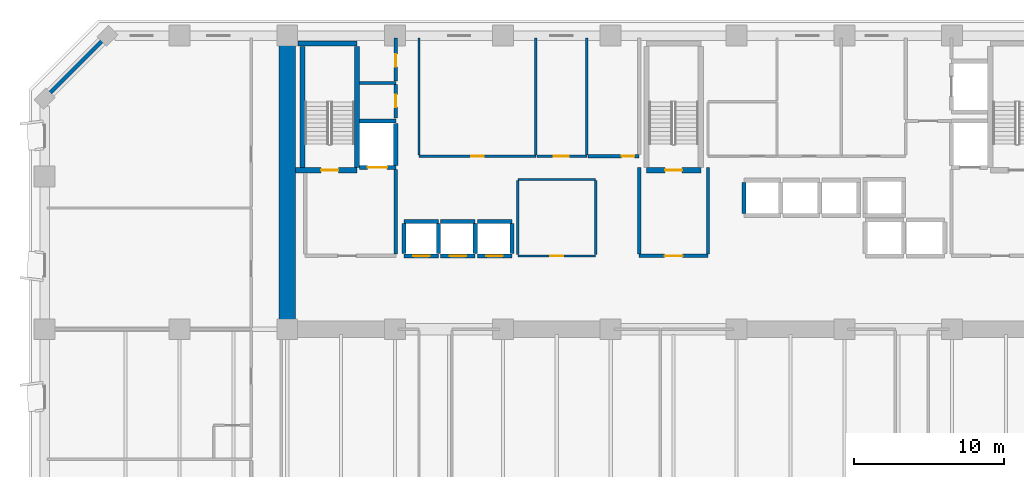
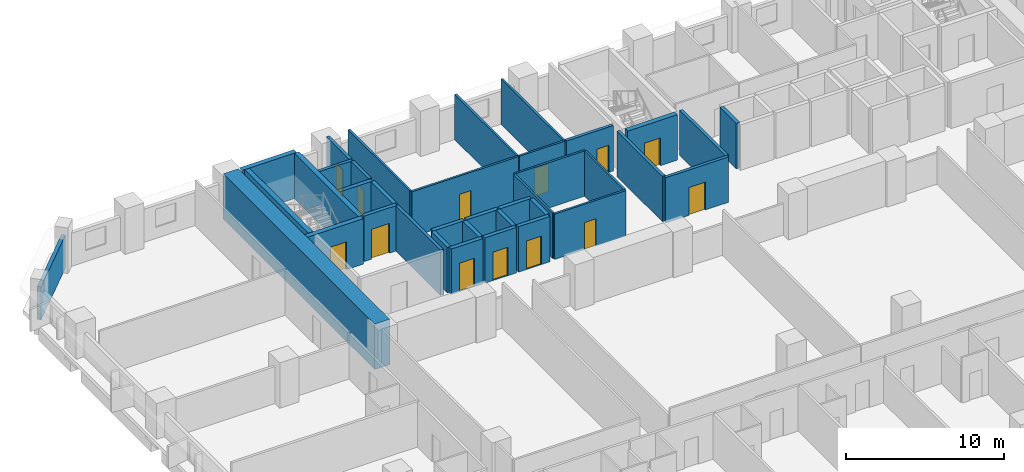
# One storey, part 7 of 15: 38 walls, 13 doors, 13 openings.
"""IFC4 building model written with IfcOpenShell, lengths in metres."""

from ifc_helpers import new_model, si_unit, direction, frame, frame_2d, origin, place, context, subcontext, project, spatial, rectangle, extrude, material, layer, layer_set, type_object, element, fill, save


model = new_model("IFC4")

# Units and contexts
model_context = context("Model", 3, precision=1e-05, world=origin(), true_north=direction((0.0, 1.0)))
body_context = subcontext(model_context, "Body", "Model", "MODEL_VIEW")
ifc_project = project(units=[si_unit("LENGTHUNIT", "METRE"), si_unit("AREAUNIT", "SQUARE_METRE"), si_unit("VOLUMEUNIT", "CUBIC_METRE"), si_unit("PLANEANGLEUNIT", "RADIAN"), si_unit("MASSUNIT", "GRAM", prefix="KILO")], contexts=[model_context])

# Site, building, storey
site_placement = place(None, origin())
site = spatial("IfcSite", under=ifc_project, at=site_placement, CompositionType="ELEMENT")
building_placement = place(site_placement, origin())
building = spatial("IfcBuilding", under=site, at=building_placement, Name="Kaelvorn Grand Hotel", CompositionType="ELEMENT")
storey_placement = place(building_placement, frame((0.0, 0.0, 42.64990234375)))
storey = spatial("IfcBuildingStorey", under=building, at=storey_placement, Name="L08", CompositionType="ELEMENT", Elevation=42.64990234375)

# Walls
ifc_material_1 = material(Name="Concrete C80/95", Category="concrete")
ifc_layer_1 = layer(ifc_material_1, 1.10009765625)
ifc_layer_set_1 = layer_set([ifc_layer_1], Name="Concrete C80/95")
wall_type_1 = type_object("IfcWallType", Name="WL-CORE-1100-C80", PredefinedType="SHEAR", material=ifc_layer_set_1)
wall_1_placement = place(storey_placement, frame((16.199951171875, 29.39990234375, 0.0), z_axis=(0.0, 0.0, 1.0), x_axis=(0.0, 1.0, 0.0)))
element("IfcWall", 1, at=wall_1_placement, inside=storey, type_object=wall_type_1, Name="L08 Rear-Core West Shear Wall", PredefinedType="SHEAR", context=body_context, shape_type="SweptSolid", body=[
    extrude(rectangle(XDim=19.2001953125, YDim=1.10009765625, at=frame_2d((9.60009765625, 0.0))), origin(), (0.0, 0.0, 1.0), 3.510009765625),
])
ifc_material_2 = material(Name="Concrete C40/50", Category="concrete")
ifc_layer_2 = layer(ifc_material_2, 0.260009765625)
ifc_layer_set_2 = layer_set([ifc_layer_2], Name="Concrete C40/50")
wall_type_2 = type_object("IfcWallType", Name="WL-EXT-260-C40", PredefinedType="SOLIDWALL", material=ifc_layer_set_2)
wall_2_placement = place(storey_placement, frame((4.199951171875, 49.0, 0.0), z_axis=(0.0, 0.0, 1.0), x_axis=(-0.707106781187, -0.707106781187, 0.0)))
element("IfcWall", 2, at=wall_2_placement, inside=storey, type_object=wall_type_2, Name="L08 Exterior Architectural Concrete Wall 06", PredefinedType="SOLIDWALL", context=body_context, shape_type="SweptSolid", body=[
    extrude(rectangle(XDim=5.939697265625, YDim=0.260009765625, at=frame_2d((2.9697265625, 0.0))), origin(), (0.0, 0.0, 1.0), 2.56005859375),
])

# Wall, opening, door
ifc_material_3 = material(Name="Acoustic Gypsum & Stud Partition")
ifc_layer_3 = layer(ifc_material_3, 0.14990234375)
ifc_layer_set_3 = layer_set([ifc_layer_3], Name="Acoustic Gypsum & Stud Partition")
wall_type_3 = type_object("IfcWallType", Name="WL-PART-150-EI60", PredefinedType="PARTITIONING", material=ifc_layer_set_3)
wall_3_placement = place(storey_placement, frame((31.60009765625, 34.300048828125, 0.0), z_axis=(0.0, 0.0, 1.0), x_axis=(1.0, 0.0, 0.0)))
wall_3 = element("IfcWall", 3, at=wall_3_placement, inside=storey, type_object=wall_type_3, Name="L08 Core Telecoms & BMS Server Room S Partition", PredefinedType="PARTITIONING", context=body_context, shape_type="SweptSolid", body=[
    extrude(rectangle(XDim=5.199951171875, YDim=0.14990234375, at=frame_2d((2.60009765625, 0.0))), origin(), (0.0, 0.0, 1.0), 3.510009765625),
])
opening_1_placement = place(wall_3_placement, frame((2.175048828125, 0.0, 0.0)))
opening_1 = element("IfcOpeningElement", 4, at=opening_1_placement, cuts=wall_3, Name="Opening DI7", PredefinedType="OPENING", context=body_context, shape_type="SweptSolid", body=[
    extrude(rectangle(XDim=0.85009765625, YDim=2.10009765625, at=frame_2d((0.425048828125, 1.050048828125))), frame((0.0, 0.0849609375, 0.0), z_axis=(0.0, -1.0, 0.0), x_axis=(1.0, 0.0, 0.0)), (0.0, 0.0, 1.0), 0.169921875),
])
ifc_material_4 = material(Name="Powder-Coated Steel Leaf", Category="steel")
door_type_1 = type_object("IfcDoorType", Name="DR-INT-RISER-850x2100", OperationType="NOTDEFINED", PredefinedType="DOOR", material=ifc_material_4)
door_1_placement = place(opening_1_placement, origin())
door_1 = element("IfcDoor", 5, at=door_1_placement, inside=storey, type_object=door_type_1, Name="L08 Core Telecoms & BMS Server Room Door", OperationType="SINGLE_SWING_RIGHT", OverallHeight=2.10009765625, OverallWidth=0.85009765625, PredefinedType="DOOR", context=body_context, shape_type="SweptSolid", body=[
    extrude(rectangle(XDim=0.85009765625, YDim=2.10009765625, at=frame_2d((0.425048828125, 1.050048828125))), frame((0.0, 0.02490234375, 0.0), z_axis=(0.0, -1.0, 0.0), x_axis=(1.0, 0.0, 0.0)), (0.0, 0.0, 1.0), 0.050048828125),
])
fill(opening_1, door_1)

# Walls
wall_4_placement = place(storey_placement, frame((31.60009765625, 39.39990234375, 0.0), z_axis=(0.0, 0.0, 1.0), x_axis=(1.0, 0.0, 0.0)))
element("IfcWall", 6, at=wall_4_placement, inside=storey, type_object=wall_type_3, Name="L08 Core Telecoms & BMS Server Room N Partition", PredefinedType="PARTITIONING", context=body_context, shape_type="SweptSolid", body=[
    extrude(rectangle(XDim=5.199951171875, YDim=0.14990234375, at=frame_2d((2.60009765625, 0.0))), origin(), (0.0, 0.0, 1.0), 3.510009765625),
])
for number, where, z_axis, x_axis, name in (
    (7, (31.60009765625, 34.3798828125, 0.0), (0.0, 0.0, 1.0), (0.0, 1.0, 0.0), "L08 Core Telecoms & BMS Server Room W Partition"),
    (8, (36.800048828125, 34.3798828125, 0.0), (0.0, 0.0, 1.0), (0.0, 1.0, 0.0), "L08 Core Telecoms & BMS Server Room E Partition"),
):
    element("IfcWall", number, at=place(storey_placement, frame(where, z_axis=z_axis, x_axis=x_axis)), inside=storey, type_object=wall_type_3, Name=name, PredefinedType="PARTITIONING", context=body_context, shape_type="SweptSolid", body=[
        extrude(rectangle(XDim=4.940185546875, YDim=0.14990234375, at=frame_2d((2.47021484375, 0.0))), origin(), (0.0, 0.0, 1.0), 3.510009765625),
    ])

# Wall, opening, door
wall_5_placement = place(storey_placement, frame((25.0, 40.949951171875, 0.0), z_axis=(0.0, 0.0, 1.0), x_axis=(1.0, 0.0, 0.0)))
wall_5 = element("IfcWall", 9, at=wall_5_placement, inside=storey, type_object=wall_type_3, Name="L08 Housekeeping & Linen Room S Partition", PredefinedType="PARTITIONING", context=body_context, shape_type="SweptSolid", body=[
    extrude(rectangle(XDim=7.800048828125, YDim=0.14990234375, at=frame_2d((3.89990234375, 0.0))), origin(), (0.0, 0.0, 1.0), 3.510009765625),
])
opening_2_placement = place(wall_5_placement, frame((3.47509765625, 0.0, 0.0)))
opening_2 = element("IfcOpeningElement", 10, at=opening_2_placement, cuts=wall_5, Name="Opening DI7", PredefinedType="OPENING", context=body_context, shape_type="SweptSolid", body=[
    extrude(rectangle(XDim=0.85009765625, YDim=2.10009765625, at=frame_2d((0.425048828125, 1.050048828125))), frame((0.0, 0.0849609375, 0.0), z_axis=(0.0, -1.0, 0.0), x_axis=(1.0, 0.0, 0.0)), (0.0, 0.0, 1.0), 0.169921875),
])
door_2_placement = place(opening_2_placement, origin())
door_2 = element("IfcDoor", 11, at=door_2_placement, inside=storey, type_object=door_type_1, Name="L08 Housekeeping & Linen Room Door", OperationType="SINGLE_SWING_LEFT", OverallHeight=2.10009765625, OverallWidth=0.85009765625, PredefinedType="DOOR", context=body_context, shape_type="SweptSolid", body=[
    extrude(rectangle(XDim=0.85009765625, YDim=2.10009765625, at=frame_2d((0.425048828125, 1.050048828125))), frame((0.0, 0.02490234375, 0.0), z_axis=(0.0, -1.0, 0.0), x_axis=(1.0, 0.0, 0.0)), (0.0, 0.0, 1.0), 0.050048828125),
])
fill(opening_2, door_2)

# Walls
for number, where, z_axis, x_axis, name in (
    (12, (25.0, 41.030029296875, 0.0), (0.0, 0.0, 1.0), (0.0, 1.0, 0.0), "L08 Housekeeping & Linen Room W Partition"),
    (13, (32.800048828125, 41.030029296875, 0.0), (0.0, 0.0, 1.0), (0.0, 1.0, 0.0), "L08 Housekeeping & Linen Room E Partition"),
):
    element("IfcWall", number, at=place(storey_placement, frame(where, z_axis=z_axis, x_axis=x_axis)), inside=storey, type_object=wall_type_3, Name=name, PredefinedType="PARTITIONING", context=body_context, shape_type="SweptSolid", body=[
        extrude(rectangle(XDim=7.820068359375, YDim=0.14990234375, at=frame_2d((3.91015625, 0.0))), origin(), (0.0, 0.0, 1.0), 3.510009765625),
    ])

# Wall, opening, door
wall_6_placement = place(storey_placement, frame((32.8798828125, 40.949951171875, 0.0), z_axis=(0.0, 0.0, 1.0), x_axis=(1.0, 0.0, 0.0)))
wall_6 = element("IfcWall", 14, at=wall_6_placement, inside=storey, type_object=wall_type_3, Name="L08 Floor Butler Tea Point S Partition", PredefinedType="PARTITIONING", context=body_context, shape_type="SweptSolid", body=[
    extrude(rectangle(XDim=3.320068359375, YDim=0.14990234375, at=frame_2d((1.66015625, 0.0))), origin(), (0.0, 0.0, 1.0), 3.510009765625),
])
opening_3_placement = place(wall_6_placement, frame((1.1201171875, 0.0, 0.0)))
opening_3 = element("IfcOpeningElement", 15, at=opening_3_placement, cuts=wall_6, Name="Opening DI3", PredefinedType="OPENING", context=body_context, shape_type="SweptSolid", body=[
    extrude(rectangle(XDim=1.0, YDim=2.14990234375, at=frame_2d((0.5, 1.074951171875))), frame((0.0, 0.0849609375, 0.0), z_axis=(0.0, -1.0, 0.0), x_axis=(1.0, 0.0, 0.0)), (0.0, 0.0, 1.0), 0.169921875),
])
ifc_material_5 = material(Name="Timber Veneer Fire Leaf", Category="wood")
door_type_2 = type_object("IfcDoorType", Name="DR-INT-GUEST-1000x2150", OperationType="NOTDEFINED", PredefinedType="DOOR", material=ifc_material_5)
door_3_placement = place(opening_3_placement, origin())
door_3 = element("IfcDoor", 16, at=door_3_placement, inside=storey, type_object=door_type_2, Name="L08 Floor Butler Tea Point Door", OperationType="SINGLE_SWING_RIGHT", OverallHeight=2.14990234375, OverallWidth=1.0, PredefinedType="DOOR", context=body_context, shape_type="SweptSolid", body=[
    extrude(rectangle(XDim=1.0, YDim=2.14990234375, at=frame_2d((0.5, 1.074951171875))), frame((0.0, 0.02490234375, 0.0), z_axis=(0.0, -1.0, 0.0), x_axis=(1.0, 0.0, 0.0)), (0.0, 0.0, 1.0), 0.050048828125),
])
fill(opening_3, door_3)

# Walls
wall_7_placement = place(storey_placement, frame((36.199951171875, 41.030029296875, 0.0), z_axis=(0.0, 0.0, 1.0), x_axis=(0.0, 1.0, 0.0)))
element("IfcWall", 17, at=wall_7_placement, inside=storey, type_object=wall_type_3, Name="L08 Floor Butler Tea Point E Partition", PredefinedType="PARTITIONING", context=body_context, shape_type="SweptSolid", body=[
    extrude(rectangle(XDim=7.820068359375, YDim=0.14990234375, at=frame_2d((3.91015625, 0.0))), origin(), (0.0, 0.0, 1.0), 3.510009765625),
])
ifc_layer_4 = layer(ifc_material_2, 0.219970703125)
ifc_layer_set_4 = layer_set([ifc_layer_4], Name="Concrete C40/50")
wall_type_4 = type_object("IfcWallType", Name="WL-PART-220-EI120", PredefinedType="PARTITIONING", material=ifc_layer_set_4)
wall_8_placement = place(storey_placement, frame((23.449951171875, 34.4150390625, 0.0), z_axis=(0.0, 0.0, 1.0), x_axis=(0.0, 1.0, 0.0)))
element("IfcWall", 18, at=wall_8_placement, inside=storey, type_object=wall_type_4, Name="L08 Firefighting Lift Lobby 1 E Partition", PredefinedType="PARTITIONING", context=body_context, shape_type="SweptSolid", body=[
    extrude(rectangle(XDim=5.639892578125, YDim=0.219970703125, at=frame_2d((2.81982421875, 0.0))), origin(), (0.0, 0.0, 1.0), 3.510009765625),
])

# Wall, opening, door
wall_9_placement = place(storey_placement, frame((39.699951171875, 34.300048828125, 0.0), z_axis=(0.0, 0.0, 1.0), x_axis=(1.0, 0.0, 0.0)))
wall_9 = element("IfcWall", 19, at=wall_9_placement, inside=storey, type_object=wall_type_4, Name="L08 Central Stair Escape Vestibule S Partition", PredefinedType="PARTITIONING", context=body_context, shape_type="SweptSolid", body=[
    extrude(rectangle(XDim=4.60009765625, YDim=0.219970703125, at=frame_2d((2.300048828125, 0.0))), origin(), (0.0, 0.0, 1.0), 3.510009765625),
])
opening_4_placement = place(wall_9_placement, frame((1.699951171875, 0.0, 0.0)))
opening_4 = element("IfcOpeningElement", 20, at=opening_4_placement, cuts=wall_9, Name="Opening DI2", PredefinedType="OPENING", context=body_context, shape_type="SweptSolid", body=[
    extrude(rectangle(XDim=1.199951171875, YDim=2.14990234375, at=frame_2d((0.60009765625, 1.074951171875))), frame((0.0, 0.1201171875, 0.0), z_axis=(0.0, -1.0, 0.0), x_axis=(1.0, 0.0, 0.0)), (0.0, 0.0, 1.0), 0.239990234375),
])
door_type_3 = type_object("IfcDoorType", Name="DR-INT-FFLOB-1200x2150", OperationType="NOTDEFINED", PredefinedType="DOOR", material=ifc_material_5)
door_4_placement = place(opening_4_placement, origin())
door_4 = element("IfcDoor", 21, at=door_4_placement, inside=storey, type_object=door_type_3, Name="L08 Central Stair Escape Vestibule Door", OperationType="SINGLE_SWING_RIGHT", OverallHeight=2.14990234375, OverallWidth=1.199951171875, PredefinedType="DOOR", context=body_context, shape_type="SweptSolid", body=[
    extrude(rectangle(XDim=1.199951171875, YDim=2.14990234375, at=frame_2d((0.60009765625, 1.074951171875))), frame((0.0, 0.02490234375, 0.0), z_axis=(0.0, -1.0, 0.0), x_axis=(1.0, 0.0, 0.0)), (0.0, 0.0, 1.0), 0.050048828125),
])
fill(opening_4, door_4)

# Walls
for number, where, z_axis, x_axis, name in (
    (22, (39.699951171875, 34.4150390625, 0.0), (0.0, 0.0, 1.0), (0.0, 1.0, 0.0), "L08 Central Stair Escape Vestibule W Partition"),
    (23, (44.300048828125, 34.4150390625, 0.0), (0.0, 0.0, 1.0), (0.0, 1.0, 0.0), "L08 Central Stair Escape Vestibule E Partition"),
):
    element("IfcWall", number, at=place(storey_placement, frame(where, z_axis=z_axis, x_axis=x_axis)), inside=storey, type_object=wall_type_4, Name=name, PredefinedType="PARTITIONING", context=body_context, shape_type="SweptSolid", body=[
        extrude(rectangle(XDim=5.784912109375, YDim=0.219970703125, at=frame_2d((2.892578125, 0.0))), origin(), (0.0, 0.0, 1.0), 3.510009765625),
    ])
wall_10_placement = place(storey_placement, frame((21.034912109375, 45.85009765625, 0.0), z_axis=(0.0, 0.0, 1.0), x_axis=(1.0, 0.0, 0.0)))
element("IfcWall", 24, at=wall_10_placement, inside=storey, type_object=wall_type_4, Name="L08 Wet Fire & Plumbing Riser Shaft N Partition", PredefinedType="PARTITIONING", context=body_context, shape_type="SweptSolid", body=[
    extrude(rectangle(XDim=2.4150390625, YDim=0.219970703125, at=frame_2d((1.20751953125, 0.0))), origin(), (0.0, 0.0, 1.0), 3.510009765625),
])

# Wall, opening, door
wall_11_placement = place(storey_placement, frame((23.449951171875, 43.5, 0.0), z_axis=(0.0, 0.0, 1.0), x_axis=(0.0, 1.0, 0.0)))
wall_11 = element("IfcWall", 25, at=wall_11_placement, inside=storey, type_object=wall_type_4, Name="L08 Wet Fire & Plumbing Riser Shaft E Partition", PredefinedType="PARTITIONING", context=body_context, shape_type="SweptSolid", body=[
    extrude(rectangle(XDim=2.235107421875, YDim=0.219970703125, at=frame_2d((1.11767578125, 0.0))), origin(), (0.0, 0.0, 1.0), 3.510009765625),
])
opening_5_placement = place(wall_11_placement, frame((0.72509765625, 0.0, 0.0)))
opening_5 = element("IfcOpeningElement", 26, at=opening_5_placement, cuts=wall_11, Name="Opening DI7", PredefinedType="OPENING", context=body_context, shape_type="SweptSolid", body=[
    extrude(rectangle(XDim=0.85009765625, YDim=2.10009765625, at=frame_2d((0.425048828125, 1.050048828125))), frame((0.0, 0.1201171875, 0.0), z_axis=(0.0, -1.0, 0.0), x_axis=(1.0, 0.0, 0.0)), (0.0, 0.0, 1.0), 0.239990234375),
])
door_5_placement = place(opening_5_placement, origin())
door_5 = element("IfcDoor", 27, at=door_5_placement, inside=storey, type_object=door_type_1, Name="L08 Wet Fire & Plumbing Riser Shaft Door", OperationType="SINGLE_SWING_RIGHT", OverallHeight=2.10009765625, OverallWidth=0.85009765625, PredefinedType="DOOR", context=body_context, shape_type="SweptSolid", body=[
    extrude(rectangle(XDim=0.85009765625, YDim=2.10009765625, at=frame_2d((0.425048828125, 1.050048828125))), frame((0.0, 0.02490234375, 0.0), z_axis=(0.0, -1.0, 0.0), x_axis=(1.0, 0.0, 0.0)), (0.0, 0.0, 1.0), 0.050048828125),
])
fill(opening_5, door_5)

wall_12_placement = place(storey_placement, frame((23.449951171875, 45.965087890625, 0.0), z_axis=(0.0, 0.0, 1.0), x_axis=(0.0, 1.0, 0.0)))
wall_12 = element("IfcWall", 28, at=wall_12_placement, inside=storey, type_object=wall_type_4, Name="L08 HV Electrical & Smoke Riser E Partition", PredefinedType="PARTITIONING", context=body_context, shape_type="SweptSolid", body=[
    extrude(rectangle(XDim=2.885009765625, YDim=0.219970703125, at=frame_2d((1.4423828125, 0.0))), origin(), (0.0, 0.0, 1.0), 3.510009765625),
])
opening_6_placement = place(wall_12_placement, frame((0.9599609375, 0.0, 0.0)))
opening_6 = element("IfcOpeningElement", 29, at=opening_6_placement, cuts=wall_12, Name="Opening DI7", PredefinedType="OPENING", context=body_context, shape_type="SweptSolid", body=[
    extrude(rectangle(XDim=0.85009765625, YDim=2.10009765625, at=frame_2d((0.425048828125, 1.050048828125))), frame((0.0, 0.1201171875, 0.0), z_axis=(0.0, -1.0, 0.0), x_axis=(1.0, 0.0, 0.0)), (0.0, 0.0, 1.0), 0.239990234375),
])
door_6_placement = place(opening_6_placement, origin())
door_6 = element("IfcDoor", 30, at=door_6_placement, inside=storey, type_object=door_type_1, Name="L08 HV Electrical & Smoke Riser Door", OperationType="SINGLE_SWING_LEFT", OverallHeight=2.10009765625, OverallWidth=0.85009765625, PredefinedType="DOOR", context=body_context, shape_type="SweptSolid", body=[
    extrude(rectangle(XDim=0.85009765625, YDim=2.10009765625, at=frame_2d((0.425048828125, 1.050048828125))), frame((0.0, 0.02490234375, 0.0), z_axis=(0.0, -1.0, 0.0), x_axis=(1.0, 0.0, 0.0)), (0.0, 0.0, 1.0), 0.050048828125),
])
fill(opening_6, door_6)

wall_13_placement = place(storey_placement, frame((36.280029296875, 40.949951171875, 0.0), z_axis=(0.0, 0.0, 1.0), x_axis=(1.0, 0.0, 0.0)))
wall_13 = element("IfcWall", 31, at=wall_13_placement, inside=storey, type_object=wall_type_4, Name="L08 LV Electrical & Metering Room S Partition", PredefinedType="PARTITIONING", context=body_context, shape_type="SweptSolid", body=[
    extrude(rectangle(XDim=3.419921875, YDim=0.219970703125, at=frame_2d((1.7099609375, 0.0))), origin(), (0.0, 0.0, 1.0), 3.510009765625),
])
opening_7_placement = place(wall_13_placement, frame((2.2451171875, 0.0, 0.0)))
opening_7 = element("IfcOpeningElement", 32, at=opening_7_placement, cuts=wall_13, Name="Opening DI7", PredefinedType="OPENING", context=body_context, shape_type="SweptSolid", body=[
    extrude(rectangle(XDim=0.85009765625, YDim=2.10009765625, at=frame_2d((0.425048828125, 1.050048828125))), frame((0.0, 0.1201171875, 0.0), z_axis=(0.0, -1.0, 0.0), x_axis=(1.0, 0.0, 0.0)), (0.0, 0.0, 1.0), 0.239990234375),
])
door_7_placement = place(opening_7_placement, origin())
door_7 = element("IfcDoor", 33, at=door_7_placement, inside=storey, type_object=door_type_1, Name="L08 LV Electrical & Metering Room Door", OperationType="SINGLE_SWING_LEFT", OverallHeight=2.10009765625, OverallWidth=0.85009765625, PredefinedType="DOOR", context=body_context, shape_type="SweptSolid", body=[
    extrude(rectangle(XDim=0.85009765625, YDim=2.10009765625, at=frame_2d((0.425048828125, 1.050048828125))), frame((0.0, 0.02490234375, 0.0), z_axis=(0.0, -1.0, 0.0), x_axis=(1.0, 0.0, 0.0)), (0.0, 0.0, 1.0), 0.050048828125),
])
fill(opening_7, door_7)

ifc_material_6 = material(Name="Concrete C50/60", Category="concrete")
ifc_layer_5 = layer(ifc_material_6, 0.280029296875)
ifc_layer_set_5 = layer_set([ifc_layer_5], Name="Concrete C50/60")
wall_type_5 = type_object("IfcWallType", Name="WL-SHAFT-280-C50", PredefinedType="SHEAR", material=ifc_layer_set_5)
wall_14_placement = place(storey_placement, frame((24.0, 34.300048828125, 0.0), z_axis=(0.0, 0.0, 1.0), x_axis=(1.0, 0.0, 0.0)))
wall_14 = element("IfcWall", 34, at=wall_14_placement, inside=storey, type_object=wall_type_5, Name="L08 Lift PL-L1 Shaft South Wall", PredefinedType="SHEAR", context=body_context, shape_type="SweptSolid", body=[
    extrude(rectangle(XDim=2.300048828125, YDim=0.280029296875, at=frame_2d((1.14990234375, 0.0))), origin(), (0.0, 0.0, 1.0), 3.510009765625),
])
opening_8_placement = place(wall_14_placement, frame((0.60009765625, 0.0, 0.0)))
opening_8 = element("IfcOpeningElement", 35, at=opening_8_placement, cuts=wall_14, Name="Opening LD-PL-L1", PredefinedType="OPENING", context=body_context, shape_type="SweptSolid", body=[
    extrude(rectangle(XDim=1.10009765625, YDim=2.199951171875, at=frame_2d((0.550048828125, 1.10009765625))), frame((0.0, 0.14990234375, 0.0), z_axis=(0.0, -1.0, 0.0), x_axis=(1.0, 0.0, 0.0)), (0.0, 0.0, 1.0), 0.300048828125),
])
ifc_material_7 = material(Name="Stainless Steel", Category="steel")
door_type_4 = type_object("IfcDoorType", Name="DR-LIFT-PASS-1100x2200", OperationType="DOUBLE_DOOR_SLIDING", PredefinedType="DOOR", material=ifc_material_7)
door_8_placement = place(opening_8_placement, origin())
door_8 = element("IfcDoor", 36, at=door_8_placement, inside=storey, type_object=door_type_4, Name="L08 Lift PL-L1 Sliding Landing Door LD-PL-L1", OperationType="DOUBLE_DOOR_SLIDING", OverallHeight=2.199951171875, OverallWidth=1.10009765625, PredefinedType="DOOR", context=body_context, shape_type="SweptSolid", body=[
    extrude(rectangle(XDim=1.10009765625, YDim=2.199951171875, at=frame_2d((0.550048828125, 1.10009765625))), frame((0.0, 0.02490234375, 0.0), z_axis=(0.0, -1.0, 0.0), x_axis=(1.0, 0.0, 0.0)), (0.0, 0.0, 1.0), 0.050048828125),
])
fill(opening_8, door_8)

# Walls
wall_15_placement = place(storey_placement, frame((24.0, 36.60009765625, 0.0), z_axis=(0.0, 0.0, 1.0), x_axis=(1.0, 0.0, 0.0)))
element("IfcWall", 37, at=wall_15_placement, inside=storey, type_object=wall_type_5, Name="L08 Lift PL-L1 Shaft North Wall", PredefinedType="SHEAR", context=body_context, shape_type="SweptSolid", body=[
    extrude(rectangle(XDim=2.300048828125, YDim=0.280029296875, at=frame_2d((1.14990234375, 0.0))), origin(), (0.0, 0.0, 1.0), 3.510009765625),
])
for number, where, z_axis, x_axis, name in (
    (38, (24.0, 34.445068359375, 0.0), (0.0, 0.0, 1.0), (0.0, 1.0, 0.0), "L08 Lift PL-L1 Shaft West Wall"),
    (39, (26.300048828125, 34.445068359375, 0.0), (0.0, 0.0, 1.0), (0.0, 1.0, 0.0), "L08 Lift PL-L1 Shaft East Wall"),
):
    element("IfcWall", number, at=place(storey_placement, frame(where, z_axis=z_axis, x_axis=x_axis)), inside=storey, type_object=wall_type_5, Name=name, PredefinedType="SHEAR", context=body_context, shape_type="SweptSolid", body=[
        extrude(rectangle(XDim=2.010009765625, YDim=0.280029296875, at=frame_2d((1.0048828125, 0.0))), origin(), (0.0, 0.0, 1.0), 3.510009765625),
    ])

# Wall, opening, door
wall_16_placement = place(storey_placement, frame((26.449951171875, 34.300048828125, 0.0), z_axis=(0.0, 0.0, 1.0), x_axis=(1.0, 0.0, 0.0)))
wall_16 = element("IfcWall", 40, at=wall_16_placement, inside=storey, type_object=wall_type_5, Name="L08 Lift PL-L2 Shaft South Wall", PredefinedType="SHEAR", context=body_context, shape_type="SweptSolid", body=[
    extrude(rectangle(XDim=2.300048828125, YDim=0.280029296875, at=frame_2d((1.14990234375, 0.0))), origin(), (0.0, 0.0, 1.0), 3.510009765625),
])
opening_9_placement = place(wall_16_placement, frame((0.60009765625, 0.0, 0.0)))
opening_9 = element("IfcOpeningElement", 41, at=opening_9_placement, cuts=wall_16, Name="Opening LD-PL-L2", PredefinedType="OPENING", context=body_context, shape_type="SweptSolid", body=[
    extrude(rectangle(XDim=1.10009765625, YDim=2.199951171875, at=frame_2d((0.550048828125, 1.10009765625))), frame((0.0, 0.14990234375, 0.0), z_axis=(0.0, -1.0, 0.0), x_axis=(1.0, 0.0, 0.0)), (0.0, 0.0, 1.0), 0.300048828125),
])
door_9_placement = place(opening_9_placement, origin())
door_9 = element("IfcDoor", 42, at=door_9_placement, inside=storey, type_object=door_type_4, Name="L08 Lift PL-L2 Sliding Landing Door LD-PL-L2", OperationType="DOUBLE_DOOR_SLIDING", OverallHeight=2.199951171875, OverallWidth=1.10009765625, PredefinedType="DOOR", context=body_context, shape_type="SweptSolid", body=[
    extrude(rectangle(XDim=1.10009765625, YDim=2.199951171875, at=frame_2d((0.550048828125, 1.10009765625))), frame((0.0, 0.02490234375, 0.0), z_axis=(0.0, -1.0, 0.0), x_axis=(1.0, 0.0, 0.0)), (0.0, 0.0, 1.0), 0.050048828125),
])
fill(opening_9, door_9)

# Walls
wall_17_placement = place(storey_placement, frame((26.449951171875, 36.60009765625, 0.0), z_axis=(0.0, 0.0, 1.0), x_axis=(1.0, 0.0, 0.0)))
element("IfcWall", 43, at=wall_17_placement, inside=storey, type_object=wall_type_5, Name="L08 Lift PL-L2 Shaft North Wall", PredefinedType="SHEAR", context=body_context, shape_type="SweptSolid", body=[
    extrude(rectangle(XDim=2.300048828125, YDim=0.280029296875, at=frame_2d((1.14990234375, 0.0))), origin(), (0.0, 0.0, 1.0), 3.510009765625),
])
wall_18_placement = place(storey_placement, frame((28.75, 34.445068359375, 0.0), z_axis=(0.0, 0.0, 1.0), x_axis=(0.0, 1.0, 0.0)))
element("IfcWall", 44, at=wall_18_placement, inside=storey, type_object=wall_type_5, Name="L08 Lift PL-L2 Shaft East Wall", PredefinedType="SHEAR", context=body_context, shape_type="SweptSolid", body=[
    extrude(rectangle(XDim=2.010009765625, YDim=0.280029296875, at=frame_2d((1.0048828125, 0.0))), origin(), (0.0, 0.0, 1.0), 3.510009765625),
])

# Wall, opening, door
wall_19_placement = place(storey_placement, frame((28.89990234375, 34.300048828125, 0.0), z_axis=(0.0, 0.0, 1.0), x_axis=(1.0, 0.0, 0.0)))
wall_19 = element("IfcWall", 45, at=wall_19_placement, inside=storey, type_object=wall_type_5, Name="L08 Lift PL-L3 Shaft South Wall", PredefinedType="SHEAR", context=body_context, shape_type="SweptSolid", body=[
    extrude(rectangle(XDim=2.300048828125, YDim=0.280029296875, at=frame_2d((1.14990234375, 0.0))), origin(), (0.0, 0.0, 1.0), 3.510009765625),
])
opening_10_placement = place(wall_19_placement, frame((0.60009765625, 0.0, 0.0)))
opening_10 = element("IfcOpeningElement", 46, at=opening_10_placement, cuts=wall_19, Name="Opening LD-PL-L3", PredefinedType="OPENING", context=body_context, shape_type="SweptSolid", body=[
    extrude(rectangle(XDim=1.10009765625, YDim=2.199951171875, at=frame_2d((0.550048828125, 1.10009765625))), frame((0.0, 0.14990234375, 0.0), z_axis=(0.0, -1.0, 0.0), x_axis=(1.0, 0.0, 0.0)), (0.0, 0.0, 1.0), 0.300048828125),
])
door_10_placement = place(opening_10_placement, origin())
door_10 = element("IfcDoor", 47, at=door_10_placement, inside=storey, type_object=door_type_4, Name="L08 Lift PL-L3 Sliding Landing Door LD-PL-L3", OperationType="DOUBLE_DOOR_SLIDING", OverallHeight=2.199951171875, OverallWidth=1.10009765625, PredefinedType="DOOR", context=body_context, shape_type="SweptSolid", body=[
    extrude(rectangle(XDim=1.10009765625, YDim=2.199951171875, at=frame_2d((0.550048828125, 1.10009765625))), frame((0.0, 0.02490234375, 0.0), z_axis=(0.0, -1.0, 0.0), x_axis=(1.0, 0.0, 0.0)), (0.0, 0.0, 1.0), 0.050048828125),
])
fill(opening_10, door_10)

# Walls
wall_20_placement = place(storey_placement, frame((28.89990234375, 36.60009765625, 0.0), z_axis=(0.0, 0.0, 1.0), x_axis=(1.0, 0.0, 0.0)))
element("IfcWall", 48, at=wall_20_placement, inside=storey, type_object=wall_type_5, Name="L08 Lift PL-L3 Shaft North Wall", PredefinedType="SHEAR", context=body_context, shape_type="SweptSolid", body=[
    extrude(rectangle(XDim=2.300048828125, YDim=0.280029296875, at=frame_2d((1.14990234375, 0.0))), origin(), (0.0, 0.0, 1.0), 3.510009765625),
])
wall_21_placement = place(storey_placement, frame((31.199951171875, 34.445068359375, 0.0), z_axis=(0.0, 0.0, 1.0), x_axis=(0.0, 1.0, 0.0)))
element("IfcWall", 49, at=wall_21_placement, inside=storey, type_object=wall_type_5, Name="L08 Lift PL-L3 Shaft East Wall", PredefinedType="SHEAR", context=body_context, shape_type="SweptSolid", body=[
    extrude(rectangle(XDim=2.010009765625, YDim=0.280029296875, at=frame_2d((1.0048828125, 0.0))), origin(), (0.0, 0.0, 1.0), 3.510009765625),
])
wall_22_placement = place(storey_placement, frame((46.699951171875, 37.14501953125, 0.0), z_axis=(0.0, 0.0, 1.0), x_axis=(0.0, 1.0, 0.0)))
element("IfcWall", 50, at=wall_22_placement, inside=storey, type_object=wall_type_5, Name="L08 Lift SL-1 Shaft West Wall", PredefinedType="SHEAR", context=body_context, shape_type="SweptSolid", body=[
    extrude(rectangle(XDim=2.06005859375, YDim=0.280029296875, at=frame_2d((1.030029296875, 0.0))), origin(), (0.0, 0.0, 1.0), 3.510009765625),
])

# Wall, opening, door
wall_23_placement = place(storey_placement, frame((21.034912109375, 40.199951171875, 0.0), z_axis=(0.0, 0.0, 1.0), x_axis=(1.0, 0.0, 0.0)))
wall_23 = element("IfcWall", 51, at=wall_23_placement, inside=storey, type_object=wall_type_5, Name="L08 Lift FFL1 Shaft South Wall", PredefinedType="SHEAR", context=body_context, shape_type="SweptSolid", body=[
    extrude(rectangle(XDim=2.4150390625, YDim=0.280029296875, at=frame_2d((1.20751953125, 0.0))), origin(), (0.0, 0.0, 1.0), 3.510009765625),
])
opening_11_placement = place(wall_23_placement, frame((0.5400390625, 0.0, 0.0)))
opening_11 = element("IfcOpeningElement", 52, at=opening_11_placement, cuts=wall_23, Name="Opening LD-FFL1", PredefinedType="OPENING", context=body_context, shape_type="SweptSolid", body=[
    extrude(rectangle(XDim=1.300048828125, YDim=2.300048828125, at=frame_2d((0.64990234375, 1.14990234375))), frame((0.0, 0.14990234375, 0.0), z_axis=(0.0, -1.0, 0.0), x_axis=(1.0, 0.0, 0.0)), (0.0, 0.0, 1.0), 0.300048828125),
])
door_type_5 = type_object("IfcDoorType", Name="DR-LIFT-SERV-1300x2300", OperationType="DOUBLE_DOOR_SLIDING", PredefinedType="DOOR", material=ifc_material_7)
door_11_placement = place(opening_11_placement, origin())
door_11 = element("IfcDoor", 53, at=door_11_placement, inside=storey, type_object=door_type_5, Name="L08 Lift FFL1 Sliding Landing Door LD-FFL1", OperationType="DOUBLE_DOOR_SLIDING", OverallHeight=2.300048828125, OverallWidth=1.300048828125, PredefinedType="DOOR", context=body_context, shape_type="SweptSolid", body=[
    extrude(rectangle(XDim=1.300048828125, YDim=2.300048828125, at=frame_2d((0.64990234375, 1.14990234375))), frame((0.0, 0.02490234375, 0.0), z_axis=(0.0, -1.0, 0.0), x_axis=(1.0, 0.0, 0.0)), (0.0, 0.0, 1.0), 0.050048828125),
])
fill(opening_11, door_11)

# Walls
wall_24_placement = place(storey_placement, frame((21.034912109375, 43.300048828125, 0.0), z_axis=(0.0, 0.0, 1.0), x_axis=(1.0, 0.0, 0.0)))
element("IfcWall", 54, at=wall_24_placement, inside=storey, type_object=wall_type_5, Name="L08 Lift FFL1 Shaft North Wall", PredefinedType="SHEAR", context=body_context, shape_type="SweptSolid", body=[
    extrude(rectangle(XDim=2.4150390625, YDim=0.280029296875, at=frame_2d((1.20751953125, 0.0))), origin(), (0.0, 0.0, 1.0), 3.510009765625),
])
wall_25_placement = place(storey_placement, frame((23.449951171875, 40.344970703125, 0.0), z_axis=(0.0, 0.0, 1.0), x_axis=(0.0, 1.0, 0.0)))
element("IfcWall", 55, at=wall_25_placement, inside=storey, type_object=wall_type_5, Name="L08 Lift FFL1 Shaft East Wall", PredefinedType="SHEAR", context=body_context, shape_type="SweptSolid", body=[
    extrude(rectangle(XDim=2.81005859375, YDim=0.280029296875, at=frame_2d((1.405029296875, 0.0))), origin(), (0.0, 0.0, 1.0), 3.510009765625),
])

# Wall, opening, door
ifc_material_8 = material(Name="Concrete C60/75", Category="concrete")
ifc_layer_6 = layer(ifc_material_8, 0.35009765625)
ifc_layer_set_6 = layer_set([ifc_layer_6], Name="Concrete C60/75")
wall_type_6 = type_object("IfcWallType", Name="WL-SHAFT-350-C60", PredefinedType="SHEAR", material=ifc_layer_set_6)
wall_26_placement = place(storey_placement, frame((16.7548828125, 40.02490234375, 0.0), z_axis=(0.0, 0.0, 1.0), x_axis=(1.0, 0.0, 0.0)))
wall_26 = element("IfcWall", 56, at=wall_26_placement, inside=storey, type_object=wall_type_6, Name="L08 ST1 Stair Shaft South Wall", PredefinedType="SHEAR", context=body_context, shape_type="SweptSolid", body=[
    extrude(rectangle(XDim=4.10009765625, YDim=0.35009765625, at=frame_2d((2.050048828125, 0.0))), origin(), (0.0, 0.0, 1.0), 3.510009765625),
])
opening_12_placement = place(wall_26_placement, frame((1.7099609375, 0.0, 0.0)))
opening_12 = element("IfcOpeningElement", 57, at=opening_12_placement, cuts=wall_26, Name="Opening DI1", PredefinedType="OPENING", context=body_context, shape_type="SweptSolid", body=[
    extrude(rectangle(XDim=1.14990234375, YDim=2.14990234375, at=frame_2d((0.574951171875, 1.074951171875))), frame((0.0, 0.18505859375, 0.0), z_axis=(0.0, -1.0, 0.0), x_axis=(1.0, 0.0, 0.0)), (0.0, 0.0, 1.0), 0.3701171875),
])
door_type_6 = type_object("IfcDoorType", Name="DR-INT-STAIR-1150x2150", OperationType="NOTDEFINED", PredefinedType="DOOR", material=ifc_material_5)
door_12_placement = place(opening_12_placement, origin())
door_12 = element("IfcDoor", 58, at=door_12_placement, inside=storey, type_object=door_type_6, Name="L08 ST1 Exit Stair Fire Door", OperationType="SINGLE_SWING_LEFT", OverallHeight=2.14990234375, OverallWidth=1.14990234375, PredefinedType="DOOR", context=body_context, shape_type="SweptSolid", body=[
    extrude(rectangle(XDim=1.14990234375, YDim=2.14990234375, at=frame_2d((0.574951171875, 1.074951171875))), frame((0.0, 0.02490234375, 0.0), z_axis=(0.0, -1.0, 0.0), x_axis=(1.0, 0.0, 0.0)), (0.0, 0.0, 1.0), 0.050048828125),
])
fill(opening_12, door_12)

# Walls
wall_27_placement = place(storey_placement, frame((16.905029296875, 48.47509765625, 0.0), z_axis=(0.0, 0.0, 1.0), x_axis=(1.0, 0.0, 0.0)))
element("IfcWall", 59, at=wall_27_placement, inside=storey, type_object=wall_type_6, Name="L08 ST1 Stair Shaft North Wall", PredefinedType="SHEAR", context=body_context, shape_type="SweptSolid", body=[
    extrude(rectangle(XDim=3.949951171875, YDim=0.35009765625, at=frame_2d((1.97509765625, 0.0))), origin(), (0.0, 0.0, 1.0), 3.510009765625),
])
for number, where, z_axis, x_axis, name in (
    (60, (17.22509765625, 40.205078125, 0.0), (0.0, 0.0, 1.0), (0.0, 1.0, 0.0), "L08 ST1 Stair Shaft West Wall"),
    (61, (20.85498046875, 40.205078125, 0.0), (0.0, 0.0, 1.0), (0.0, 1.0, 0.0), "L08 ST1 Stair Shaft East Wall"),
):
    element("IfcWall", number, at=place(storey_placement, frame(where, z_axis=z_axis, x_axis=x_axis)), inside=storey, type_object=wall_type_6, Name=name, PredefinedType="SHEAR", context=body_context, shape_type="SweptSolid", body=[
        extrude(rectangle(XDim=8.08984375, YDim=0.35009765625, at=frame_2d((4.044921875, 0.0))), origin(), (0.0, 0.0, 1.0), 3.510009765625),
    ])

# Wall, opening, door
wall_28_placement = place(storey_placement, frame((40.18505859375, 40.02490234375, 0.0), z_axis=(0.0, 0.0, 1.0), x_axis=(1.0, 0.0, 0.0)))
wall_28 = element("IfcWall", 62, at=wall_28_placement, inside=storey, type_object=wall_type_6, Name="L08 ST2 Stair Shaft South Wall", PredefinedType="SHEAR", context=body_context, shape_type="SweptSolid", body=[
    extrude(rectangle(XDim=3.6298828125, YDim=0.35009765625, at=frame_2d((1.81494140625, 0.0))), origin(), (0.0, 0.0, 1.0), 3.510009765625),
])
opening_13_placement = place(wall_28_placement, frame((1.239990234375, 0.0, 0.0)))
opening_13 = element("IfcOpeningElement", 63, at=opening_13_placement, cuts=wall_28, Name="Opening DI1", PredefinedType="OPENING", context=body_context, shape_type="SweptSolid", body=[
    extrude(rectangle(XDim=1.14990234375, YDim=2.14990234375, at=frame_2d((0.574951171875, 1.074951171875))), frame((0.0, 0.18505859375, 0.0), z_axis=(0.0, -1.0, 0.0), x_axis=(1.0, 0.0, 0.0)), (0.0, 0.0, 1.0), 0.3701171875),
])
door_13_placement = place(opening_13_placement, origin())
door_13 = element("IfcDoor", 64, at=door_13_placement, inside=storey, type_object=door_type_6, Name="L08 ST2 Exit Stair Fire Door", OperationType="SINGLE_SWING_RIGHT", OverallHeight=2.14990234375, OverallWidth=1.14990234375, PredefinedType="DOOR", context=body_context, shape_type="SweptSolid", body=[
    extrude(rectangle(XDim=1.14990234375, YDim=2.14990234375, at=frame_2d((0.574951171875, 1.074951171875))), frame((0.0, 0.02490234375, 0.0), z_axis=(0.0, -1.0, 0.0), x_axis=(1.0, 0.0, 0.0)), (0.0, 0.0, 1.0), 0.050048828125),
])
fill(opening_13, door_13)

save(model, "model.ifc")
